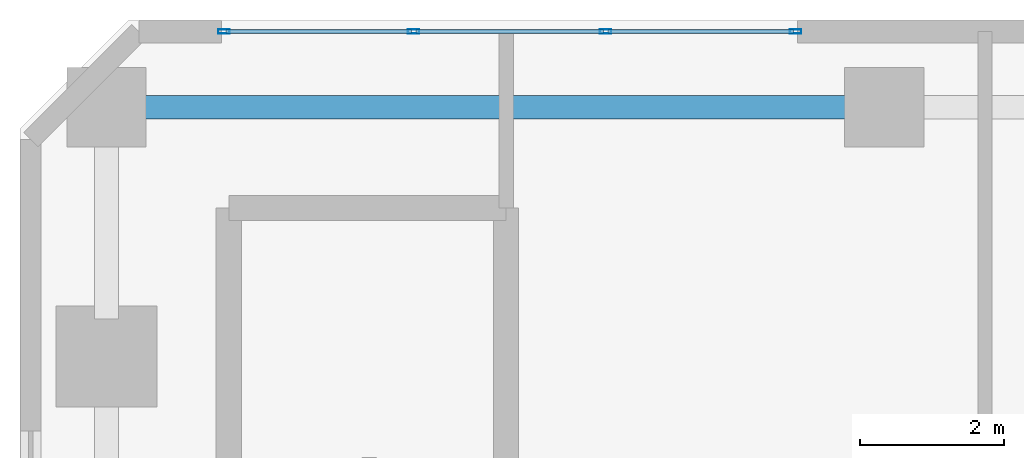
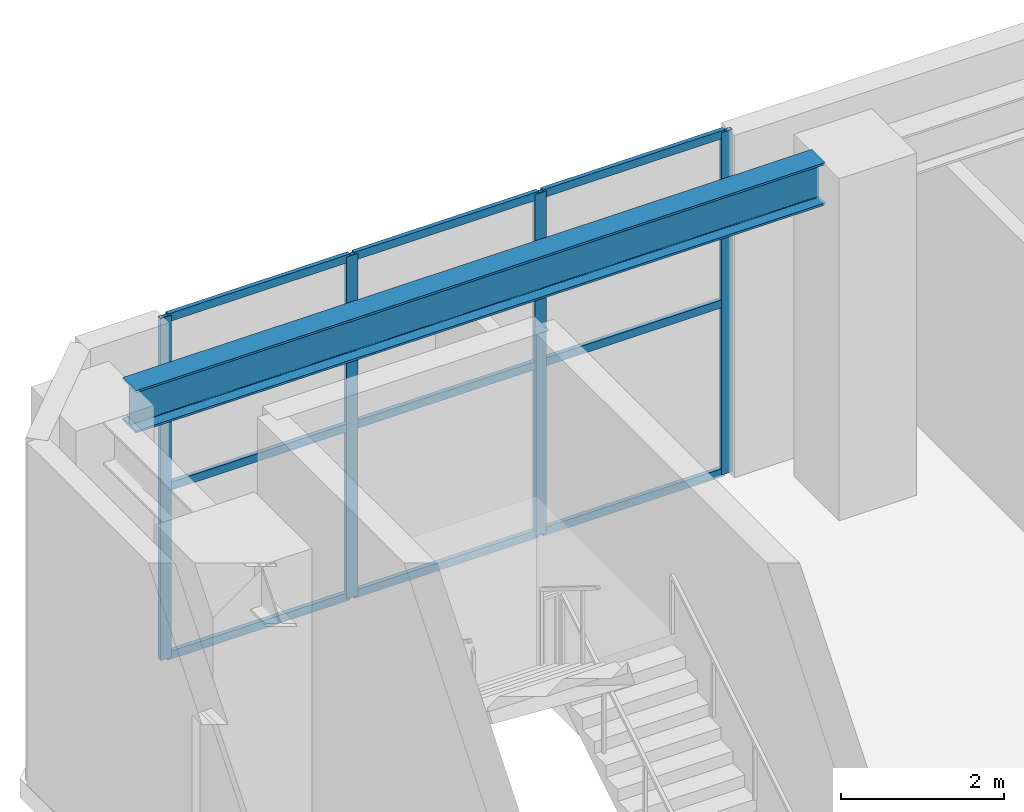
# One storey, part 12 of 28: 13 members, 1 beam, 1 element without a shape of its own.
"""IFC4 building model written with IfcOpenShell, lengths in metres."""

from ifc_helpers import new_model, si_unit, direction, frame, origin, origin_2d, place, context, subcontext, project, spatial, hollow_rectangle, i_section, extrude, material, layer, layer_set, material_profile, profile_set, type_object, element, aggregate, save


model = new_model("IFC4")

# Units and contexts
model_context = context("Model", 3, precision=1e-05, world=origin(), true_north=direction((0.0, 1.0)))
body_context = subcontext(model_context, "Body", "Model", "MODEL_VIEW")
ifc_project = project(units=[si_unit("LENGTHUNIT", "METRE"), si_unit("AREAUNIT", "SQUARE_METRE"), si_unit("VOLUMEUNIT", "CUBIC_METRE"), si_unit("PLANEANGLEUNIT", "RADIAN"), si_unit("MASSUNIT", "GRAM", prefix="KILO")], contexts=[model_context])

# Site, building, storey
site_placement = place(None, origin())
site = spatial("IfcSite", under=ifc_project, at=site_placement, CompositionType="ELEMENT")
building_placement = place(site_placement, origin())
building = spatial("IfcBuilding", under=site, at=building_placement, Name="Sarneth Arch Tower", CompositionType="ELEMENT")
storey_placement = place(building_placement, frame((0.0, 0.0, 6.0)))
storey = spatial("IfcBuildingStorey", under=building, at=storey_placement, Name="L01", CompositionType="ELEMENT", Elevation=6.0)

# Beam
ifc_material_1 = material(Name="Steel S355", Category="steel")
ifc_material_profile_1 = material_profile(ifc_material_1, i_section(OverallWidth=0.3291015625, OverallDepth=0.635009765625, WebThickness=0.017822265625, FlangeThickness=0.031005859375, FilletRadius=0.01904296875, at=origin_2d()), Name="W610x241")
ifc_profile_set_1 = profile_set([ifc_material_profile_1], Name="Steel S355")
beam_type = type_object("IfcBeamType", Name="BM-POD-610", PredefinedType="BEAM", material=ifc_profile_set_1)
beam_placement = place(storey_placement, frame((9.719970703125, 74.800048828125, 4.802490234375), z_axis=(1.0, 0.0, 0.0), x_axis=(0.0, 1.0, 0.0)))
element("IfcBeam", 1, at=beam_placement, inside=storey, type_object=beam_type, Name="L01 Podium PN girder 1", PredefinedType="BEAM", context=body_context, shape_type="SweptSolid", body=[
    extrude(i_section(OverallWidth=0.3291015625, OverallDepth=0.635009765625, WebThickness=0.017822265625, FlangeThickness=0.031005859375, FilletRadius=0.01904296875, at=origin_2d()), origin(), (0.0, 0.0, 1.0), 9.760009765625),
])

# Curtain wall, members
ifc_material_2 = material(Name="Anodised aluminium Type AA25 and solar-control low-e laminated IGU", Category="aluminium")
ifc_layer = layer(ifc_material_2, 0.179931640625)
ifc_layer_set = layer_set([ifc_layer], Name="Anodised aluminium Type AA25 and solar-control low-e laminated IGU")
curtain_wall_type = type_object("IfcCurtainWallType", Name="CW-PODIUM-CHAMF", PredefinedType="NOTDEFINED", material=ifc_layer_set)
curtain_wall_placement = place(storey_placement, origin())
curtain_wall = element("IfcCurtainWall", 2, at=curtain_wall_placement, inside=storey, type_object=curtain_wall_type, Name="L01 Podium bay curtain wall NW", PredefinedType="NOTDEFINED")
ifc_material_3 = material(Name="Anodised Aluminium 6063-T6", Category="aluminium")
ifc_material_profile_2 = material_profile(ifc_material_3, hollow_rectangle(XDim=0.06005859375, YDim=0.159912109375, WallThickness=0.00390625, at=origin_2d()), Name="AL-MULL-160x60x4")
ifc_profile_set_2 = profile_set([ifc_material_profile_2], Name="Anodised Aluminium 6063-T6")
member_type_1 = type_object("IfcMemberType", Name="CW-MULLION", PredefinedType="MULLION", material=ifc_profile_set_2)
member_1_placement = place(storey_placement, frame((18.77001953125, 75.85009765625, 0.0), z_axis=(0.0, 0.0, 1.0), x_axis=(0.0, -1.0, 0.0)))
member_1 = element("IfcMember", 3, at=member_1_placement, type_object=member_type_1, Name="CW-SYS-1 mullion 1", PredefinedType="MULLION", context=body_context, shape_type="SweptSolid", body=[
    extrude(hollow_rectangle(XDim=0.06005859375, YDim=0.159912109375, WallThickness=0.00390625, at=origin_2d()), origin(), (0.0, 0.0, 1.0), 5.1201171875),
])
member_2_placement = place(storey_placement, frame((16.13330078125, 75.85009765625, 0.0), z_axis=(0.0, 0.0, 1.0), x_axis=(0.0, -1.0, 0.0)))
member_2 = element("IfcMember", 4, at=member_2_placement, type_object=member_type_1, Name="CW-SYS-1 mullion 2", PredefinedType="MULLION", context=body_context, shape_type="SweptSolid", body=[
    extrude(hollow_rectangle(XDim=0.06005859375, YDim=0.159912109375, WallThickness=0.00390625, at=origin_2d()), origin(), (0.0, 0.0, 1.0), 5.1201171875),
])
member_3_placement = place(storey_placement, frame((13.466552734375, 75.85009765625, 0.0), z_axis=(0.0, 0.0, 1.0), x_axis=(0.0, -1.0, 0.0)))
member_3 = element("IfcMember", 5, at=member_3_placement, type_object=member_type_1, Name="CW-SYS-1 mullion 3", PredefinedType="MULLION", context=body_context, shape_type="SweptSolid", body=[
    extrude(hollow_rectangle(XDim=0.06005859375, YDim=0.159912109375, WallThickness=0.00390625, at=origin_2d()), origin(), (0.0, 0.0, 1.0), 5.1201171875),
])
member_4_placement = place(storey_placement, frame((10.830078125, 75.85009765625, 0.0), z_axis=(0.0, 0.0, 1.0), x_axis=(0.0, -1.0, 0.0)))
member_4 = element("IfcMember", 6, at=member_4_placement, type_object=member_type_1, Name="CW-SYS-1 mullion 4", PredefinedType="MULLION", context=body_context, shape_type="SweptSolid", body=[
    extrude(hollow_rectangle(XDim=0.06005859375, YDim=0.159912109375, WallThickness=0.00390625, at=origin_2d()), origin(), (0.0, 0.0, 1.0), 5.1201171875),
])
ifc_material_4 = material(Name="Anodised Aluminium 6063-T6", Category="aluminium")
ifc_material_profile_3 = material_profile(ifc_material_4, hollow_rectangle(XDim=0.06005859375, YDim=0.1201171875, WallThickness=0.00390625, at=origin_2d()), Name="AL-TRAN-120x60x4")
ifc_profile_set_3 = profile_set([ifc_material_profile_3], Name="Anodised Aluminium 6063-T6")
member_type_2 = type_object("IfcMemberType", Name="CW-TRANSOM", PredefinedType="USERDEFINED", material=ifc_profile_set_3)
member_5_placement = place(storey_placement, frame((18.739990234375, 75.85009765625, 0.030029296875), z_axis=(-1.0, 0.0, 0.0), x_axis=(0.0, -1.0, 0.0)))
member_5 = element("IfcMember", 7, at=member_5_placement, type_object=member_type_2, Name="CW-SYS-1 transom 1.1", ObjectType="TRANSOM", PredefinedType="USERDEFINED", context=body_context, shape_type="SweptSolid", body=[
    extrude(hollow_rectangle(XDim=0.06005859375, YDim=0.1201171875, WallThickness=0.00390625, at=origin_2d()), origin(), (0.0, 0.0, 1.0), 2.57666015625),
])
member_6_placement = place(storey_placement, frame((18.739990234375, 75.85009765625, 2.56005859375), z_axis=(-1.0, 0.0, 0.0), x_axis=(0.0, -1.0, 0.0)))
member_6 = element("IfcMember", 8, at=member_6_placement, type_object=member_type_2, Name="CW-SYS-1 transom 1.2", ObjectType="TRANSOM", PredefinedType="USERDEFINED", context=body_context, shape_type="SweptSolid", body=[
    extrude(hollow_rectangle(XDim=0.06005859375, YDim=0.1201171875, WallThickness=0.00390625, at=origin_2d()), origin(), (0.0, 0.0, 1.0), 2.57666015625),
])
member_7_placement = place(storey_placement, frame((18.739990234375, 75.85009765625, 5.090087890625), z_axis=(-1.0, 0.0, 0.0), x_axis=(0.0, -1.0, 0.0)))
member_7 = element("IfcMember", 9, at=member_7_placement, type_object=member_type_2, Name="CW-SYS-1 transom 1.3", ObjectType="TRANSOM", PredefinedType="USERDEFINED", context=body_context, shape_type="SweptSolid", body=[
    extrude(hollow_rectangle(XDim=0.06005859375, YDim=0.1201171875, WallThickness=0.00390625, at=origin_2d()), origin(), (0.0, 0.0, 1.0), 2.57666015625),
])
member_8_placement = place(storey_placement, frame((16.103271484375, 75.85009765625, 0.030029296875), z_axis=(-1.0, 0.0, 0.0), x_axis=(0.0, -1.0, 0.0)))
member_8 = element("IfcMember", 10, at=member_8_placement, type_object=member_type_2, Name="CW-SYS-1 transom 2.1", ObjectType="TRANSOM", PredefinedType="USERDEFINED", context=body_context, shape_type="SweptSolid", body=[
    extrude(hollow_rectangle(XDim=0.06005859375, YDim=0.1201171875, WallThickness=0.00390625, at=origin_2d()), origin(), (0.0, 0.0, 1.0), 2.606689453125),
])
member_9_placement = place(storey_placement, frame((16.103271484375, 75.85009765625, 2.56005859375), z_axis=(-1.0, 0.0, 0.0), x_axis=(0.0, -1.0, 0.0)))
member_9 = element("IfcMember", 11, at=member_9_placement, type_object=member_type_2, Name="CW-SYS-1 transom 2.2", ObjectType="TRANSOM", PredefinedType="USERDEFINED", context=body_context, shape_type="SweptSolid", body=[
    extrude(hollow_rectangle(XDim=0.06005859375, YDim=0.1201171875, WallThickness=0.00390625, at=origin_2d()), origin(), (0.0, 0.0, 1.0), 2.606689453125),
])
member_10_placement = place(storey_placement, frame((16.103271484375, 75.85009765625, 5.090087890625), z_axis=(-1.0, 0.0, 0.0), x_axis=(0.0, -1.0, 0.0)))
member_10 = element("IfcMember", 12, at=member_10_placement, type_object=member_type_2, Name="CW-SYS-1 transom 2.3", ObjectType="TRANSOM", PredefinedType="USERDEFINED", context=body_context, shape_type="SweptSolid", body=[
    extrude(hollow_rectangle(XDim=0.06005859375, YDim=0.1201171875, WallThickness=0.00390625, at=origin_2d()), origin(), (0.0, 0.0, 1.0), 2.606689453125),
])
member_11_placement = place(storey_placement, frame((13.436767578125, 75.85009765625, 0.030029296875), z_axis=(-1.0, 0.0, 0.0), x_axis=(0.0, -1.0, 0.0)))
member_11 = element("IfcMember", 13, at=member_11_placement, type_object=member_type_2, Name="CW-SYS-1 transom 3.1", ObjectType="TRANSOM", PredefinedType="USERDEFINED", context=body_context, shape_type="SweptSolid", body=[
    extrude(hollow_rectangle(XDim=0.06005859375, YDim=0.1201171875, WallThickness=0.00390625, at=origin_2d()), origin(), (0.0, 0.0, 1.0), 2.57666015625),
])
member_12_placement = place(storey_placement, frame((13.436767578125, 75.85009765625, 2.56005859375), z_axis=(-1.0, 0.0, 0.0), x_axis=(0.0, -1.0, 0.0)))
member_12 = element("IfcMember", 14, at=member_12_placement, type_object=member_type_2, Name="CW-SYS-1 transom 3.2", ObjectType="TRANSOM", PredefinedType="USERDEFINED", context=body_context, shape_type="SweptSolid", body=[
    extrude(hollow_rectangle(XDim=0.06005859375, YDim=0.1201171875, WallThickness=0.00390625, at=origin_2d()), origin(), (0.0, 0.0, 1.0), 2.57666015625),
])
member_13_placement = place(storey_placement, frame((13.436767578125, 75.85009765625, 5.090087890625), z_axis=(-1.0, 0.0, 0.0), x_axis=(0.0, -1.0, 0.0)))
member_13 = element("IfcMember", 15, at=member_13_placement, type_object=member_type_2, Name="CW-SYS-1 transom 3.3", ObjectType="TRANSOM", PredefinedType="USERDEFINED", context=body_context, shape_type="SweptSolid", body=[
    extrude(hollow_rectangle(XDim=0.06005859375, YDim=0.1201171875, WallThickness=0.00390625, at=origin_2d()), origin(), (0.0, 0.0, 1.0), 2.57666015625),
])
aggregate(curtain_wall, [member_1, member_2, member_3, member_4, member_5, member_6, member_7, member_8, member_9, member_10, member_11, member_12, member_13])

save(model, "model.ifc")
